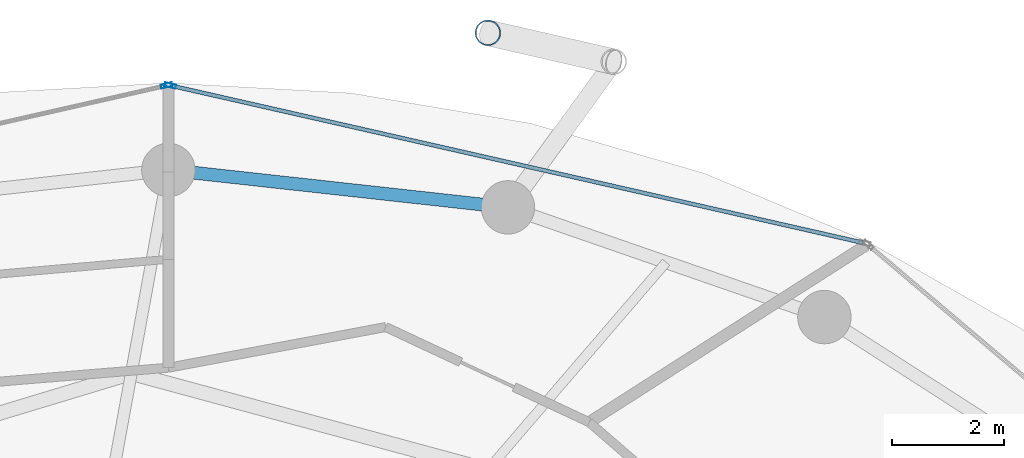
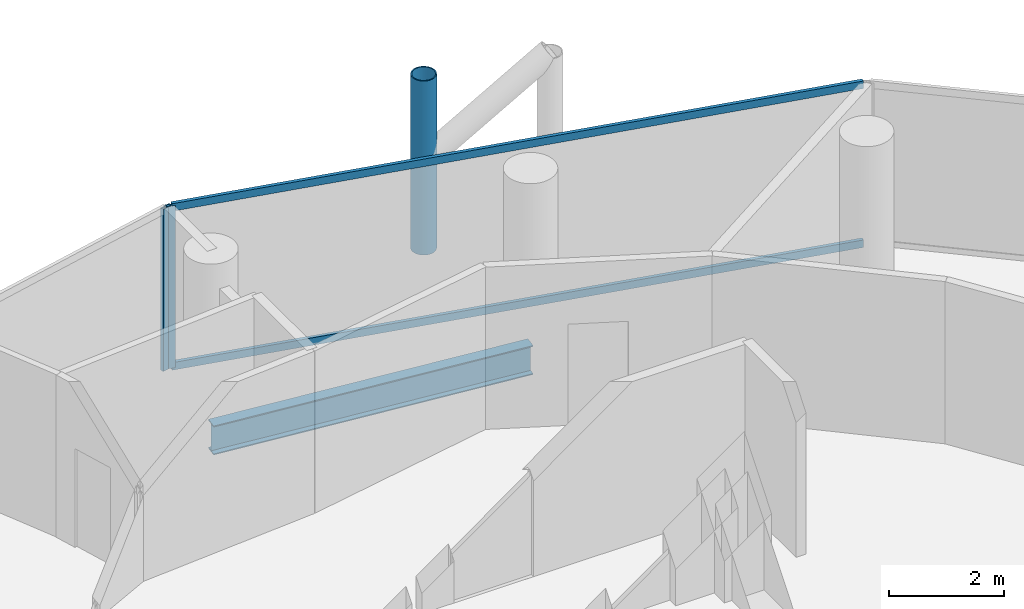
# One storey, part 17 of 26: 5 members, 1 beam, 2 elements without a shape of their own.
"""IFC4 building model written with IfcOpenShell, lengths in metres."""

from ifc_helpers import new_model, si_unit, direction, frame, origin, origin_2d, place, context, subcontext, project, spatial, hollow_rectangle, hollow_circle, i_section, extrude, material, layer, layer_set, material_profile, profile_set, type_object, element, aggregate, save


model = new_model("IFC4")

# Units and contexts
model_context = context("Model", 3, precision=1e-05, world=origin(), true_north=direction((0.0, 1.0)))
body_context = subcontext(model_context, "Body", "Model", "MODEL_VIEW")
ifc_project = project(units=[si_unit("LENGTHUNIT", "METRE"), si_unit("AREAUNIT", "SQUARE_METRE"), si_unit("VOLUMEUNIT", "CUBIC_METRE"), si_unit("PLANEANGLEUNIT", "RADIAN"), si_unit("MASSUNIT", "GRAM", prefix="KILO")], contexts=[model_context])

# Site, building, storey
site_placement = place(None, origin())
site = spatial("IfcSite", under=ifc_project, at=site_placement, CompositionType="ELEMENT")
building_placement = place(site_placement, origin())
building = spatial("IfcBuilding", under=site, at=building_placement, Name="Nuhasar Tower", CompositionType="ELEMENT")
storey_placement = place(building_placement, frame((0.0, 0.0, 144.14990234375)))
storey = spatial("IfcBuildingStorey", under=building, at=storey_placement, Name="L34", CompositionType="ELEMENT", Elevation=144.14990234375)

# Beam
ifc_material_1 = material(Name="Steel S355", Category="steel")
ifc_material_profile_1 = material_profile(ifc_material_1, i_section(OverallWidth=0.22998046875, OverallDepth=0.616943359375, WebThickness=0.01318359375, FlangeThickness=0.022216796875, at=origin_2d()), Name="W24X94")
ifc_profile_set_1 = profile_set([ifc_material_profile_1], Name="Steel S355")
beam_type = type_object("IfcBeamType", Name="BM-RING-W24X94", PredefinedType="SPANDREL", material=ifc_profile_set_1)
beam_placement = place(storey_placement, frame((45.04296875, 45.68408203125, -0.558837890625), z_axis=(-0.993981289157, 0.109549974015, 0.0), x_axis=(-0.109549974015, -0.993981289157, 0.0)))
element("IfcBeam", 1, at=beam_placement, inside=storey, type_object=beam_type, Name="L34 Perimeter Ring Spandrel 06", PredefinedType="SPANDREL", context=body_context, shape_type="SweptSolid", body=[
    extrude(i_section(OverallWidth=0.22998046875, OverallDepth=0.616943359375, WebThickness=0.01318359375, FlangeThickness=0.022216796875, at=origin_2d()), origin(), (0.0, 0.0, 1.0), 6.07958984375),
])

# Curtain wall, member
ifc_material_2 = material(Name="Aluminium 6063-T6", Category="aluminium")
ifc_layer = layer(ifc_material_2, 0.199951171875)
ifc_layer_set = layer_set([ifc_layer], Name="Aluminium 6063-T6")
curtain_wall_type = type_object("IfcCurtainWallType", Name="CW-Z2-HTL", PredefinedType="NOTDEFINED", material=ifc_layer_set)
curtain_wall_1_placement = place(storey_placement, origin())
curtain_wall_1 = element("IfcCurtainWall", 2, at=curtain_wall_1_placement, inside=storey, type_object=curtain_wall_type, Name="L34 Unitised Curtain Wall 03", PredefinedType="NOTDEFINED")
ifc_material_profile_2 = material_profile(ifc_material_2, hollow_rectangle(XDim=0.070068359375, YDim=0.199951171875, WallThickness=0.0048828125, at=origin_2d()), Name="CWM-3")
ifc_profile_set_2 = profile_set([ifc_material_profile_2], Name="Aluminium 6063-T6")
member_type_1 = type_object("IfcMemberType", Name="CW-MUL-S3", PredefinedType="MULLION", material=ifc_profile_set_2)
member_1_placement = place(storey_placement, frame((39.0341796875, 47.852294921875, 0.0), z_axis=(0.0, 0.0, 1.0), x_axis=(-0.22139729566, -0.975183694221, 0.0)))
member_1 = element("IfcMember", 3, at=member_1_placement, type_object=member_type_1, Name="CW-Z2 mullion 2", PredefinedType="MULLION", context=body_context, shape_type="SweptSolid", body=[
    extrude(hollow_rectangle(XDim=0.070068359375, YDim=0.199951171875, WallThickness=0.0048828125, at=origin_2d()), origin(), (0.0, 0.0, 1.0), 3.4501953125),
])

curtain_wall_2_placement = place(storey_placement, origin())
curtain_wall_2 = element("IfcCurtainWall", 4, at=curtain_wall_2_placement, inside=storey, type_object=curtain_wall_type, Name="L34 Unitised Curtain Wall 04", PredefinedType="NOTDEFINED")
member_2_placement = place(storey_placement, frame((38.9658203125, 47.852294921875, 0.0), z_axis=(0.0, 0.0, 1.0), x_axis=(0.22139729566, -0.975183694221, 0.0)))
member_2 = element("IfcMember", 5, at=member_2_placement, type_object=member_type_1, Name="CW-Z2 mullion 1", PredefinedType="MULLION", context=body_context, shape_type="SweptSolid", body=[
    extrude(hollow_rectangle(XDim=0.070068359375, YDim=0.199951171875, WallThickness=0.0048828125, at=origin_2d()), origin(), (0.0, 0.0, 1.0), 3.4501953125),
])
aggregate(curtain_wall_2, [member_2])

# Member
ifc_material_profile_3 = material_profile(ifc_material_2, hollow_rectangle(XDim=0.070068359375, YDim=0.159912109375, WallThickness=0.00439453125, at=origin_2d()), Name="CWT-3")
ifc_profile_set_3 = profile_set([ifc_material_profile_3], Name="Aluminium 6063-T6")
member_type_2 = type_object("IfcMemberType", Name="CW-TRN-S3", PredefinedType="USERDEFINED", material=ifc_profile_set_3)
member_3_placement = place(storey_placement, frame((51.36181640625, 45.053466796875, 0.03515625), z_axis=(-0.975183434528, 0.221398439519, 0.0), x_axis=(-0.221398439519, -0.975183434528, 0.0)))
member_3 = element("IfcMember", 6, at=member_3_placement, type_object=member_type_2, Name="CW-Z2 transom 1.1", ObjectType="TRANSOM", PredefinedType="USERDEFINED", context=body_context, shape_type="SweptSolid", body=[
    extrude(hollow_rectangle(XDim=0.070068359375, YDim=0.159912109375, WallThickness=0.00439453125, at=origin_2d()), origin(), (0.0, 0.0, 1.0), 12.606201171875),
])

member_4_placement = place(storey_placement, frame((51.36181640625, 45.053466796875, 3.4150390625), z_axis=(-0.975183434528, 0.221398439519, 0.0), x_axis=(-0.221398439519, -0.975183434528, 0.0)))
member_4 = element("IfcMember", 7, at=member_4_placement, type_object=member_type_2, Name="CW-Z2 transom 1.2", ObjectType="TRANSOM", PredefinedType="USERDEFINED", context=body_context, shape_type="SweptSolid", body=[
    extrude(hollow_rectangle(XDim=0.070068359375, YDim=0.159912109375, WallThickness=0.00439453125, at=origin_2d()), origin(), (0.0, 0.0, 1.0), 12.606201171875),
])

aggregate(curtain_wall_1, [member_1, member_3, member_4])

ifc_material_3 = material(Name="Steel S460", Category="steel")
ifc_material_profile_4 = material_profile(ifc_material_3, hollow_circle(Radius=0.228515625, WallThickness=0.022216796875, at=origin_2d()), Name="HSS457X22.2")
ifc_profile_set_4 = profile_set([ifc_material_profile_4], Name="Steel S460")
member_type_3 = type_object("IfcMemberType", Name="EXO-BRONZE-457", PredefinedType="BRACE", material=ifc_profile_set_4)
member_5_placement = place(storey_placement, frame((44.68603515625, 48.7900390625, 0.0), z_axis=(0.0, 0.0, 1.0), x_axis=(1.0, 0.0, 0.0)))
element("IfcMember", 8, at=member_5_placement, inside=storey, type_object=member_type_3, Name="L34 Exoskeleton Chord Column EC-03B", PredefinedType="BRACE", context=body_context, shape_type="SweptSolid", body=[
    extrude(hollow_circle(Radius=0.228515625, WallThickness=0.022216796875, at=origin_2d()), origin(), (0.0, 0.0, 1.0), 3.7001953125),
])

save(model, "model.ifc")
